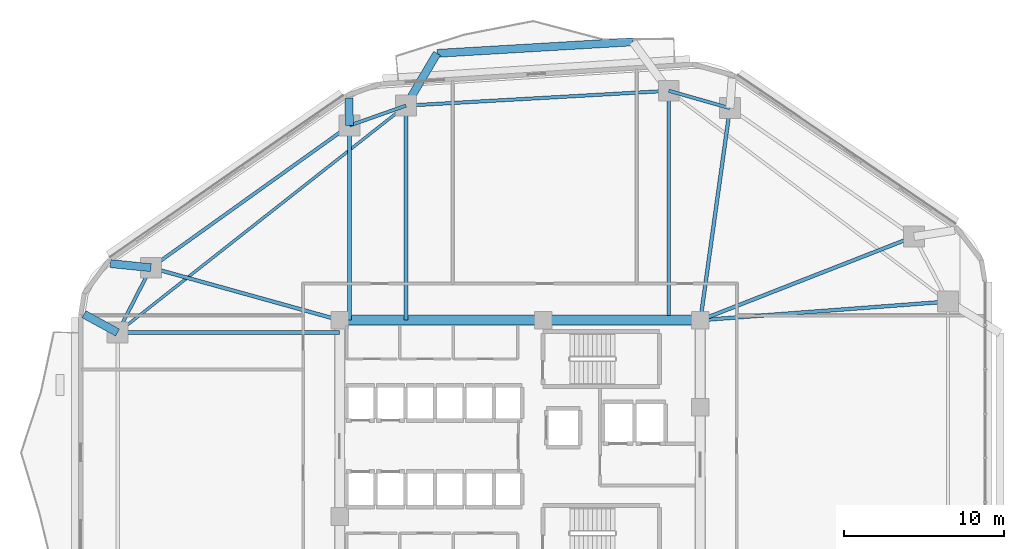
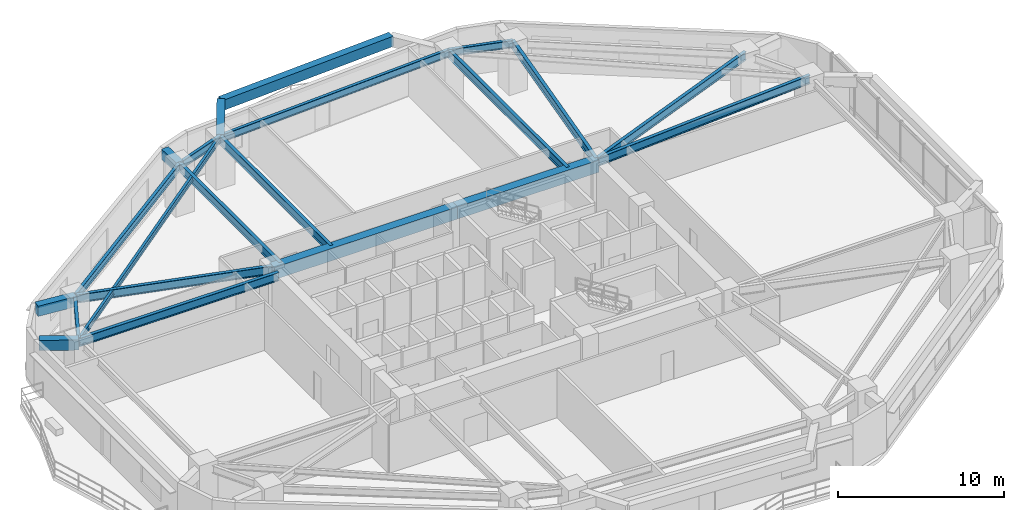
# One storey, part 5 of 14: 21 beams.
"""IFC4 building model written with IfcOpenShell, lengths in metres."""

import ifcopenshell
import ifcopenshell.guid

model = None  # the IFC model being written
_history = None  # IfcOwnerHistory: only IFC2X3 demands one
_inside = {}  # id of a spatial element -> (the spatial element, [elements in it])
_under = {}  # id of a project, library or spatial element -> (it, [spatial elements below it])
_declared = {}  # id of a project -> (the project, [libraries it declares])
_typed = {}  # id of a type object -> (the type object, [elements of that type])
_made_of = {}  # id of a material, layer set ... -> (it, [elements and type objects made of it])


def new_model(schema):
    """Start an empty IFC model of exactly this schema.

    Asked for "IFC4X3", IfcOpenShell would pick the latest addendum, in which some entities
    have other attributes; the version numbers below select the first issue.
    IFC2X3 requires an IfcOwnerHistory on every rooted entity: one is made here for all.
    """
    global model, _history
    if schema == "IFC4X3":
        model = ifcopenshell.file(schema_version=(4, 3, 0, 0))
    else:
        model = ifcopenshell.file(schema=schema)
    _inside.clear()
    _under.clear()
    _declared.clear()
    _typed.clear()
    _made_of.clear()
    _history = None
    if model.schema == "IFC2X3":
        org = make("IfcOrganization", Name="unknown")
        user = make(
            "IfcPersonAndOrganization",
            ThePerson=make("IfcPerson", FamilyName="unknown"),
            TheOrganization=org,
        )
        app = make(
            "IfcApplication",
            ApplicationDeveloper=org,
            Version="unknown",
            ApplicationFullName="unknown",
            ApplicationIdentifier="unknown",
        )
        _history = make(
            "IfcOwnerHistory",
            OwningUser=user,
            OwningApplication=app,
            ChangeAction="ADDED",
            CreationDate=0,
        )
    return model


def make(cls, **values):
    """One entity of the class cls with the attributes given. An attribute that is None is left unset."""
    return model.create_entity(
        cls, **{name: value for name, value in values.items() if value is not None}
    )


def rooted(cls, **values):
    """An entity with a GlobalId (a new one), such as an element, a storey or a relation."""
    return make(cls, GlobalId=ifcopenshell.guid.new(), OwnerHistory=_history, **values)


def si_unit(unit_type, name, prefix=None):
    """IfcSIUnit, for example si_unit("LENGTHUNIT", "METRE", prefix="MILLI")."""
    return make("IfcSIUnit", UnitType=unit_type, Prefix=prefix, Name=name)


def assignment(units):
    """IfcUnitAssignment: the units of a project."""
    return None if units is None else make("IfcUnitAssignment", Units=units)


def point(xyz):
    """IfcCartesianPoint."""
    return None if xyz is None else make("IfcCartesianPoint", Coordinates=xyz)


def direction(xyz):
    """IfcDirection."""
    return None if xyz is None else make("IfcDirection", DirectionRatios=xyz)


def frame(location, z_axis=None, x_axis=None):
    """IfcAxis2Placement3D, a coordinate frame: its origin and axes. An axis left out is left unset."""
    return make(
        "IfcAxis2Placement3D",
        Location=point(location),
        Axis=direction(z_axis),
        RefDirection=direction(x_axis),
    )


def frame_2d(location, x_axis=None):
    """IfcAxis2Placement2D, a coordinate frame in the plane: its origin and x axis."""
    return make(
        "IfcAxis2Placement2D", Location=point(location), RefDirection=direction(x_axis)
    )


def origin():
    """The frame at (0, 0, 0) with its axes left unset."""
    return frame((0.0, 0.0, 0.0))


def origin_2d():
    """The frame at (0, 0) in the plane with its x axis left unset."""
    return frame_2d((0.0, 0.0))


def place(relative_to, where):
    """IfcLocalPlacement: puts the frame where relative to a parent placement (None: the world)."""
    return make(
        "IfcLocalPlacement", PlacementRelTo=relative_to, RelativePlacement=where
    )


def context(
    kind, dimensions, precision=None, world=None, true_north=None, identifier=None
):
    """IfcGeometricRepresentationContext, for example the 3D "Model" context."""
    return make(
        "IfcGeometricRepresentationContext",
        ContextIdentifier=identifier,
        ContextType=kind,
        CoordinateSpaceDimension=dimensions,
        Precision=precision,
        WorldCoordinateSystem=world,
        TrueNorth=true_north,
    )


def subcontext(parent, identifier, kind, view, scale=None):
    """IfcGeometricRepresentationSubContext, for example "Body" below "Model"."""
    return make(
        "IfcGeometricRepresentationSubContext",
        ContextIdentifier=identifier,
        ContextType=kind,
        ParentContext=parent,
        TargetScale=scale,
        TargetView=view,
    )


def project(units=None, contexts=None):
    """IfcProject with its units and contexts."""
    return rooted(
        "IfcProject",
        Name="project",
        RepresentationContexts=contexts,
        UnitsInContext=assignment(units),
    )


def spatial(cls, under=None, at=None, **own):
    """A site, building, storey or space (cls), placed at a placement, below another one or the project."""
    s = rooted(cls, ObjectPlacement=at, **own)
    if under is not None:
        _under.setdefault(under.id(), (under, []))[1].append(s)
    return s


def profile(cls, at=None, kind="AREA", **sizes):
    """A parametric profile (cls). Its sizes go by their IFC names, for example OverallWidth=200.0."""
    return make(cls, ProfileType=kind, Position=at, **sizes)


def rectangle(**sizes):
    """IfcRectangleProfileDef."""
    return profile("IfcRectangleProfileDef", **sizes)


def i_section(**sizes):
    """IfcIShapeProfileDef."""
    return profile("IfcIShapeProfileDef", **sizes)


def extrude(swept, where, along, depth):
    """IfcExtrudedAreaSolid: the profile swept, set in the frame where, extruded along a direction by depth."""
    return make(
        "IfcExtrudedAreaSolid",
        SweptArea=swept,
        Position=where,
        ExtrudedDirection=direction(along),
        Depth=depth,
    )


def shape(context_of_items, identifier, shape_type, items):
    """IfcShapeRepresentation: the items that make up one representation, for example the "Body"."""
    return make(
        "IfcShapeRepresentation",
        ContextOfItems=context_of_items,
        RepresentationIdentifier=identifier,
        RepresentationType=shape_type,
        Items=items,
    )


def material(Name=None, Category=None):
    """IfcMaterial."""
    return make("IfcMaterial", Name=Name, Category=Category)


def material_profile(
    of_material, cross_section, Name=None, Category=None, Priority=None
):
    """IfcMaterialProfile: a cross section and its material."""
    return make(
        "IfcMaterialProfile",
        Name=Name,
        Material=of_material,
        Profile=cross_section,
        Priority=Priority,
        Category=Category,
    )


def profile_set(profiles, Name=None, composite=None):
    """IfcMaterialProfileSet."""
    return make(
        "IfcMaterialProfileSet",
        Name=Name,
        MaterialProfiles=profiles,
        CompositeProfile=composite,
    )


def made_of(thing, what):
    """Note that an element or type object is made of a material, layer set ...; save() writes the relation."""
    if what is not None:
        _made_of.setdefault(what.id(), (what, []))[1].append(thing)
    return thing


def type_object(cls, material=None, **own):
    """A type object (cls), such as IfcWallType, which elements share."""
    return made_of(rooted(cls, **own), material)


def element(
    cls,
    number,
    at=None,
    inside=None,
    cuts=None,
    type_object=None,
    material=None,
    context=None,
    identifier="Body",
    shape_type=None,
    held_by="IfcProductDefinitionShape",
    body=None,
    shapes=None,
    **own,
):
    """One element of the class cls, such as IfcWall. Its Tag is "e" and its number.

    at: its placement. inside: the storey or other place that contains it. cuts: it is an
    opening in that element (IfcRelVoidsElement). A single representation is given by context,
    identifier, shape_type and body (its items); several are given by shapes. held_by: the class
    of the entity that holds the representations. save() writes the other relations.
    """
    e = rooted(cls, Tag="e%d" % number, ObjectPlacement=at, **own)
    if body is not None:
        shapes = [shape(context, identifier, shape_type, body)]
    if shapes is not None:
        e.Representation = make(held_by, Representations=shapes)
    if inside is not None:
        _inside.setdefault(inside.id(), (inside, []))[1].append(e)
    if cuts is not None:
        rooted(
            "IfcRelVoidsElement", RelatingBuildingElement=cuts, RelatedOpeningElement=e
        )
    if type_object is not None:
        _typed.setdefault(type_object.id(), (type_object, []))[1].append(e)
    return made_of(e, material)


def aggregate(whole, parts):
    """IfcRelAggregates: a whole, such as a stair, and the parts it consists of."""
    return rooted("IfcRelAggregates", RelatingObject=whole, RelatedObjects=parts)


def save(model, path):
    """Write the relations noted so far, then the file.

    IfcRelAggregates (storeys below a building ...), IfcRelContainedInSpatialStructure (elements
    in a storey), IfcRelDefinesByType, IfcRelAssociatesMaterial and IfcRelDeclares: one each for
    every whole, place, type object, material and project.
    """
    for whole, parts in _under.values():
        aggregate(whole, parts)
    for where, things in _inside.values():
        rooted(
            "IfcRelContainedInSpatialStructure",
            RelatedElements=things,
            RelatingStructure=where,
        )
    for kind, things in _typed.values():
        rooted("IfcRelDefinesByType", RelatedObjects=things, RelatingType=kind)
    for what, things in _made_of.values():
        rooted("IfcRelAssociatesMaterial", RelatedObjects=things, RelatingMaterial=what)
    for by, libraries in _declared.values():
        rooted("IfcRelDeclares", RelatingContext=by, RelatedDefinitions=libraries)
    model.write(path)


model = new_model("IFC4")

# Units and contexts
model_context = context("Model", 3, precision=1e-05, world=origin(), true_north=direction((0.0, 1.0)))
body_context = subcontext(model_context, "Body", "Model", "MODEL_VIEW")
ifc_project = project(units=[si_unit("LENGTHUNIT", "METRE"), si_unit("AREAUNIT", "SQUARE_METRE"), si_unit("VOLUMEUNIT", "CUBIC_METRE"), si_unit("PLANEANGLEUNIT", "RADIAN"), si_unit("MASSUNIT", "GRAM", prefix="KILO")], contexts=[model_context])

# Site, building, storey
site_placement = place(None, origin())
site = spatial("IfcSite", under=ifc_project, at=site_placement, CompositionType="ELEMENT")
building_placement = place(site_placement, origin())
building = spatial("IfcBuilding", under=site, at=building_placement, Name="Zulverin Broadcast Headquarters", CompositionType="ELEMENT")
storey_placement = place(building_placement, frame((0.0, 0.0, 40.199951171875)))
storey = spatial("IfcBuildingStorey", under=building, at=storey_placement, Name="L09", CompositionType="ELEMENT", Elevation=40.199951171875)

# Beams
ifc_material_1 = material(Name="Concrete C60/75", Category="concrete")
ifc_material_profile_1 = material_profile(ifc_material_1, rectangle(XDim=0.60009765625, YDim=0.89990234375, at=origin_2d()), Name="Concrete C60/75", Category="concrete")
ifc_profile_set_1 = profile_set([ifc_material_profile_1], Name="Concrete C60/75")
beam_type_1 = type_object("IfcBeamType", Name="BM-CB-600x900", PredefinedType="LINTEL", material=ifc_profile_set_1)
beam_1_placement = place(storey_placement, frame((48.27490234375, 33.074951171875, 3.074951171875), z_axis=(-1.0, 0.0, 0.0), x_axis=(0.0, -1.0, 0.0)))
element("IfcBeam", 1, at=beam_1_placement, inside=storey, type_object=beam_type_1, Name="L09 Core Coupling Girder K05-K06", PredefinedType="LINTEL", context=body_context, shape_type="SweptSolid", body=[
    extrude(rectangle(XDim=0.60009765625, YDim=0.89990234375, at=origin_2d()), origin(), (0.0, 0.0, 1.0), 9.824951171875),
])
beam_2_placement = place(storey_placement, frame((38.449951171875, 33.074951171875, 3.074951171875), z_axis=(-1.0, 0.0, 0.0), x_axis=(0.0, -1.0, 0.0)))
element("IfcBeam", 2, at=beam_2_placement, inside=storey, type_object=beam_type_1, Name="L09 Core Coupling Girder K06-K07", PredefinedType="LINTEL", context=body_context, shape_type="SweptSolid", body=[
    extrude(rectangle(XDim=0.60009765625, YDim=0.89990234375, at=origin_2d()), origin(), (0.0, 0.0, 1.0), 12.724853515625),
])
ifc_material_2 = material(Name="Concrete C40/50", Category="concrete")
ifc_material_profile_2 = material_profile(ifc_material_2, rectangle(XDim=0.5, YDim=0.75, at=origin_2d()), Name="Concrete C40/50", Category="concrete")
ifc_profile_set_2 = profile_set([ifc_material_profile_2], Name="Concrete C40/50")
beam_type_2 = type_object("IfcBeamType", Name="BM-RC-500x750", PredefinedType="BEAM", material=ifc_profile_set_2)
beam_3_placement = place(storey_placement, frame((26.344482421875, 45.23828125, 3.150146484375), z_axis=(-0.025024345209, 0.999686842039, 0.0), x_axis=(-0.999686842039, -0.025024345209, 0.0)))
element("IfcBeam", 3, at=beam_3_placement, inside=storey, type_object=beam_type_2, Name="L10 Plate Overhang Back-Spanned Beam OVR-11", PredefinedType="BEAM", context=body_context, shape_type="SweptSolid", body=[
    extrude(rectangle(XDim=0.5, YDim=0.75, at=origin_2d()), origin(), (0.0, 0.0, 1.0), 1.707275390625),
])
beam_4_placement = place(storey_placement, frame((13.934326171875, 36.353759765625, 3.150146484375), z_axis=(-0.995008621602, 0.09978899207, 0.0), x_axis=(-0.09978899207, -0.995008621602, 0.0)))
element("IfcBeam", 4, at=beam_4_placement, inside=storey, type_object=beam_type_2, Name="L10 Plate Overhang Back-Spanned Beam OVR-12", PredefinedType="BEAM", context=body_context, shape_type="SweptSolid", body=[
    extrude(rectangle(XDim=0.5, YDim=0.75, at=origin_2d()), origin(), (0.0, 0.0, 1.0), 2.5419921875),
])
beam_5_placement = place(storey_placement, frame((11.85009765625, 32.298095703125, 3.150146484375), z_axis=(-0.877766851071, 0.479088045312, 0.0), x_axis=(-0.479088045312, -0.877766851071, 0.0)))
element("IfcBeam", 5, at=beam_5_placement, inside=storey, type_object=beam_type_2, Name="L10 Plate Overhang Back-Spanned Beam OVR-13", PredefinedType="BEAM", context=body_context, shape_type="SweptSolid", body=[
    extrude(rectangle(XDim=0.5, YDim=0.75, at=origin_2d()), origin(), (0.0, 0.0, 1.0), 2.392578125),
])
beam_6_placement = place(storey_placement, frame((29.873779296875, 46.482177734375, 3.150146484375), z_axis=(0.511024077234, 0.859566397952, 0.0), x_axis=(-0.859566397952, 0.511024077234, 0.0)))
element("IfcBeam", 6, at=beam_6_placement, inside=storey, type_object=beam_type_2, Name="L10 Balcony Column-Framed Cantilever BAL_N-2", PredefinedType="BEAM", context=body_context, shape_type="SweptSolid", body=[
    extrude(rectangle(XDim=0.5, YDim=0.75, at=origin_2d()), origin(), (0.0, 0.0, 1.0), 3.800048828125),
])
beam_7_placement = place(storey_placement, frame((44.049072265625, 50.46923828125, 3.150146484375), z_axis=(-0.998269148199, -0.058810779227, 0.0), x_axis=(0.058810779227, -0.998269148199, 0.0)))
element("IfcBeam", 7, at=beam_7_placement, inside=storey, type_object=beam_type_2, Name="L10 Balcony Outer Edge Trimmer Beam BAL_N", PredefinedType="BEAM", context=body_context, shape_type="SweptSolid", body=[
    extrude(rectangle(XDim=0.5, YDim=0.75, at=origin_2d()), origin(), (0.0, 0.0, 1.0), 12.254638671875),
])
ifc_material_3 = material(Name="Structural steel S355JR", Category="steel")
ifc_material_profile_3 = material_profile(ifc_material_3, i_section(OverallWidth=0.179443359375, OverallDepth=0.412841796875, WebThickness=0.009521484375, FlangeThickness=0.01611328125, at=origin_2d()), Name="Structural steel S355JR", Category="steel")
ifc_profile_set_3 = profile_set([ifc_material_profile_3], Name="Structural steel S355JR")
beam_type_3 = type_object("IfcBeamType", Name="BM-UB-406", PredefinedType="JOIST", material=ifc_profile_set_3)
beam_8_placement = place(storey_placement, frame((29.873779296875, 46.482177734375, 3.318603515625), z_axis=(-0.78583902739, -0.618431098047, 0.0), x_axis=(0.618431098047, -0.78583902739, 0.0)))
element("IfcBeam", 8, at=beam_8_placement, inside=storey, type_object=beam_type_3, Name="L09 Chordal Floor Joist J-03", PredefinedType="JOIST", context=body_context, shape_type="SweptSolid", body=[
    extrude(i_section(OverallWidth=0.179443359375, OverallDepth=0.412841796875, WebThickness=0.009521484375, FlangeThickness=0.01611328125, at=origin_2d()), origin(), (0.0, 0.0, 1.0), 22.935546875),
])
ifc_material_profile_4 = material_profile(ifc_material_3, i_section(OverallWidth=0.2119140625, OverallDepth=0.54443359375, WebThickness=0.0126953125, FlangeThickness=0.021240234375, at=origin_2d()), Name="Structural steel S355JR", Category="steel")
ifc_profile_set_4 = profile_set([ifc_material_profile_4], Name="Structural steel S355JR")
beam_type_4 = type_object("IfcBeamType", Name="BM-UB-533", PredefinedType="SPANDREL", material=ifc_profile_set_4)
beam_9_placement = place(storey_placement, frame((50.121826171875, 46.325927734375, 3.2529296875), z_axis=(-0.962058150721, 0.272844487999, 0.0), x_axis=(-0.272844487999, -0.962058150721, 0.0)))
element("IfcBeam", 9, at=beam_9_placement, inside=storey, type_object=beam_type_4, Name="L09 Perimeter Spandrel Beam SP-08", PredefinedType="SPANDREL", context=body_context, shape_type="SweptSolid", body=[
    extrude(i_section(OverallWidth=0.2119140625, OverallDepth=0.54443359375, WebThickness=0.0126953125, FlangeThickness=0.021240234375, at=origin_2d()), origin(), (0.0, 0.0, 1.0), 3.97021484375),
])
beam_10_placement = place(storey_placement, frame((46.30224609375, 47.4091796875, 3.2529296875), z_axis=(-0.998411812904, -0.056336949274, 0.0), x_axis=(0.056336949274, -0.998411812904, 0.0)))
element("IfcBeam", 10, at=beam_10_placement, inside=storey, type_object=beam_type_4, Name="L09 Perimeter Spandrel Beam SP-09", PredefinedType="SPANDREL", context=body_context, shape_type="SweptSolid", body=[
    extrude(i_section(OverallWidth=0.2119140625, OverallDepth=0.54443359375, WebThickness=0.0126953125, FlangeThickness=0.021240234375, at=origin_2d()), origin(), (0.0, 0.0, 1.0), 16.45458984375),
])
beam_11_placement = place(storey_placement, frame((29.873779296875, 46.482177734375, 3.2529296875), z_axis=(-0.943135983398, -0.332407155189, 0.0), x_axis=(0.332407155189, -0.943135983398, 0.0)))
element("IfcBeam", 11, at=beam_11_placement, inside=storey, type_object=beam_type_4, Name="L09 Perimeter Spandrel Beam SP-10", PredefinedType="SPANDREL", context=body_context, shape_type="SweptSolid", body=[
    extrude(i_section(OverallWidth=0.2119140625, OverallDepth=0.54443359375, WebThickness=0.0126953125, FlangeThickness=0.021240234375, at=origin_2d()), origin(), (0.0, 0.0, 1.0), 3.7421875),
])
beam_12_placement = place(storey_placement, frame((26.344482421875, 45.23828125, 3.2529296875), z_axis=(-0.813109374453, -0.582110938891, 0.0), x_axis=(0.582110938891, -0.813109374453, 0.0)))
element("IfcBeam", 12, at=beam_12_placement, inside=storey, type_object=beam_type_4, Name="L09 Perimeter Spandrel Beam SP-11", PredefinedType="SPANDREL", context=body_context, shape_type="SweptSolid", body=[
    extrude(i_section(OverallWidth=0.2119140625, OverallDepth=0.54443359375, WebThickness=0.0126953125, FlangeThickness=0.021240234375, at=origin_2d()), origin(), (0.0, 0.0, 1.0), 15.2626953125),
])
beam_13_placement = place(storey_placement, frame((13.934326171875, 36.353759765625, 3.2529296875), z_axis=(-0.457080631948, -0.889425261558, 0.0), x_axis=(0.889425261558, -0.457080631948, 0.0)))
element("IfcBeam", 13, at=beam_13_placement, inside=storey, type_object=beam_type_4, Name="L09 Perimeter Spandrel Beam SP-12", PredefinedType="SPANDREL", context=body_context, shape_type="SweptSolid", body=[
    extrude(i_section(OverallWidth=0.2119140625, OverallDepth=0.54443359375, WebThickness=0.0126953125, FlangeThickness=0.021240234375, at=origin_2d()), origin(), (0.0, 0.0, 1.0), 4.559814453125),
])
ifc_material_profile_5 = material_profile(ifc_material_3, i_section(OverallWidth=0.230224609375, OverallDepth=0.6171875, WebThickness=0.01318359375, FlangeThickness=0.022216796875, at=origin_2d()), Name="Structural steel S355JR", Category="steel")
ifc_profile_set_5 = profile_set([ifc_material_profile_5], Name="Structural steel S355JR")
beam_type_5 = type_object("IfcBeamType", Name="BM-UB-610", PredefinedType="BEAM", material=ifc_profile_set_5)
beam_14_placement = place(storey_placement, frame((48.27490234375, 33.074951171875, 3.216552734375), z_axis=(0.997201597387, 0.074759442003, 0.0), x_axis=(-0.074759442003, 0.997201597387, 0.0)))
element("IfcBeam", 14, at=beam_14_placement, inside=storey, type_object=beam_type_5, Name="L09 Radial Primary Floor Beam RB-06", PredefinedType="BEAM", context=body_context, shape_type="SweptSolid", body=[
    extrude(i_section(OverallWidth=0.230224609375, OverallDepth=0.6171875, WebThickness=0.01318359375, FlangeThickness=0.022216796875, at=origin_2d()), origin(), (0.0, 0.0, 1.0), 15.5185546875),
])
beam_15_placement = place(storey_placement, frame((48.27490234375, 33.074951171875, 3.216552734375), z_axis=(0.931297778153, 0.364258765723, 0.0), x_axis=(-0.364258765723, 0.931297778153, 0.0)))
element("IfcBeam", 15, at=beam_15_placement, inside=storey, type_object=beam_type_5, Name="L09 Radial Primary Floor Beam RB-07", PredefinedType="BEAM", context=body_context, shape_type="SweptSolid", body=[
    extrude(i_section(OverallWidth=0.230224609375, OverallDepth=0.6171875, WebThickness=0.01318359375, FlangeThickness=0.022216796875, at=origin_2d()), origin(), (0.0, 0.0, 1.0), 14.34033203125),
])
beam_16_placement = place(storey_placement, frame((48.27490234375, 33.074951171875, 3.216552734375), z_axis=(0.138045758193, 0.990425852169, 0.0), x_axis=(-0.990425852169, 0.138045758193, 0.0)))
element("IfcBeam", 16, at=beam_16_placement, inside=storey, type_object=beam_type_5, Name="L09 Radial Primary Floor Beam RB-08", PredefinedType="BEAM", context=body_context, shape_type="SweptSolid", body=[
    extrude(i_section(OverallWidth=0.230224609375, OverallDepth=0.6171875, WebThickness=0.01318359375, FlangeThickness=0.022216796875, at=origin_2d()), origin(), (0.0, 0.0, 1.0), 13.379150390625),
])
beam_17_placement = place(storey_placement, frame((46.30224609375, 33.074951171875, 3.216552734375), z_axis=(0.0, 1.0, 0.0), x_axis=(-1.0, 0.0, 0.0)))
element("IfcBeam", 17, at=beam_17_placement, inside=storey, type_object=beam_type_5, Name="L09 Radial Primary Floor Beam RB-09", PredefinedType="BEAM", context=body_context, shape_type="SweptSolid", body=[
    extrude(i_section(OverallWidth=0.230224609375, OverallDepth=0.6171875, WebThickness=0.01318359375, FlangeThickness=0.022216796875, at=origin_2d()), origin(), (0.0, 0.0, 1.0), 14.334228515625),
])
beam_18_placement = place(storey_placement, frame((29.873779296875, 33.074951171875, 3.216552734375), z_axis=(0.0, 1.0, 0.0), x_axis=(-1.0, 0.0, 0.0)))
element("IfcBeam", 18, at=beam_18_placement, inside=storey, type_object=beam_type_5, Name="L09 Radial Primary Floor Beam RB-10", PredefinedType="BEAM", context=body_context, shape_type="SweptSolid", body=[
    extrude(i_section(OverallWidth=0.230224609375, OverallDepth=0.6171875, WebThickness=0.01318359375, FlangeThickness=0.022216796875, at=origin_2d()), origin(), (0.0, 0.0, 1.0), 13.4072265625),
])
beam_19_placement = place(storey_placement, frame((26.344482421875, 33.074951171875, 3.216552734375), z_axis=(0.0, 1.0, 0.0), x_axis=(-1.0, 0.0, 0.0)))
element("IfcBeam", 19, at=beam_19_placement, inside=storey, type_object=beam_type_5, Name="L09 Radial Primary Floor Beam RB-11", PredefinedType="BEAM", context=body_context, shape_type="SweptSolid", body=[
    extrude(i_section(OverallWidth=0.230224609375, OverallDepth=0.6171875, WebThickness=0.01318359375, FlangeThickness=0.022216796875, at=origin_2d()), origin(), (0.0, 0.0, 1.0), 12.163330078125),
])
beam_20_placement = place(storey_placement, frame((25.72509765625, 33.074951171875, 3.216552734375), z_axis=(-0.963442133037, 0.267916509922, 0.0), x_axis=(-0.267916509922, -0.963442133037, 0.0)))
element("IfcBeam", 20, at=beam_20_placement, inside=storey, type_object=beam_type_5, Name="L09 Radial Primary Floor Beam RB-12", PredefinedType="BEAM", context=body_context, shape_type="SweptSolid", body=[
    extrude(i_section(OverallWidth=0.230224609375, OverallDepth=0.6171875, WebThickness=0.01318359375, FlangeThickness=0.022216796875, at=origin_2d()), origin(), (0.0, 0.0, 1.0), 12.23828125),
])
beam_21_placement = place(storey_placement, frame((25.72509765625, 32.298095703125, 3.216552734375), z_axis=(-1.0, 0.0, 0.0), x_axis=(0.0, -1.0, 0.0)))
element("IfcBeam", 21, at=beam_21_placement, inside=storey, type_object=beam_type_5, Name="L09 Radial Primary Floor Beam RB-13", PredefinedType="BEAM", context=body_context, shape_type="SweptSolid", body=[
    extrude(i_section(OverallWidth=0.230224609375, OverallDepth=0.6171875, WebThickness=0.01318359375, FlangeThickness=0.022216796875, at=origin_2d()), origin(), (0.0, 0.0, 1.0), 13.875),
])

save(model, "model.ifc")
